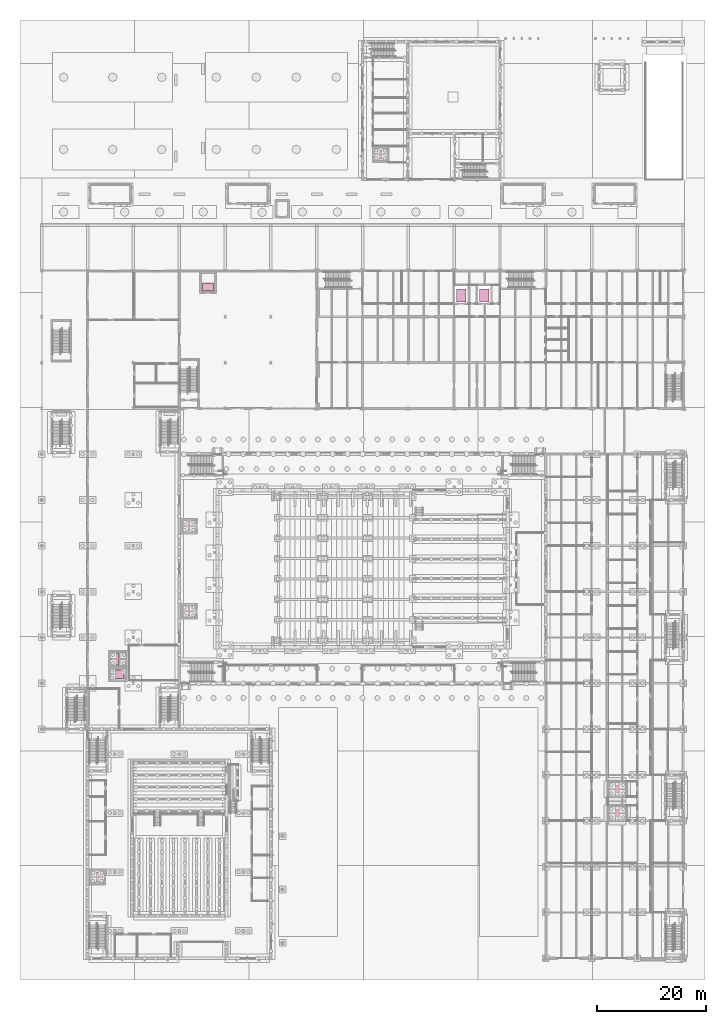
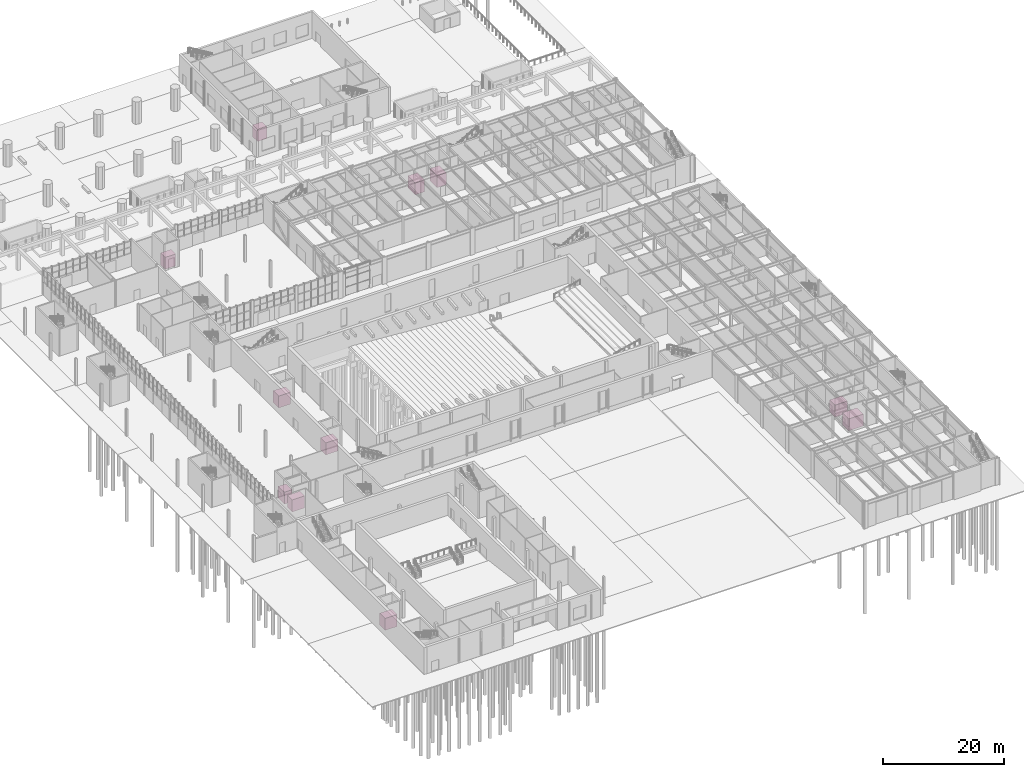
# One storey, part 127 of 127: 11 transport elements.
"""IFC4 building model written with IfcOpenShell, lengths in metres."""

import ifcopenshell
import ifcopenshell.guid

model = None  # the IFC model being written
_history = None  # IfcOwnerHistory: only IFC2X3 demands one
_inside = {}  # id of a spatial element -> (the spatial element, [elements in it])
_under = {}  # id of a project, library or spatial element -> (it, [spatial elements below it])
_declared = {}  # id of a project -> (the project, [libraries it declares])
_typed = {}  # id of a type object -> (the type object, [elements of that type])
_made_of = {}  # id of a material, layer set ... -> (it, [elements and type objects made of it])


def new_model(schema):
    """Start an empty IFC model of exactly this schema.

    Asked for "IFC4X3", IfcOpenShell would pick the latest addendum, in which some entities
    have other attributes; the version numbers below select the first issue.
    IFC2X3 requires an IfcOwnerHistory on every rooted entity: one is made here for all.
    """
    global model, _history
    if schema == "IFC4X3":
        model = ifcopenshell.file(schema_version=(4, 3, 0, 0))
    else:
        model = ifcopenshell.file(schema=schema)
    _inside.clear()
    _under.clear()
    _declared.clear()
    _typed.clear()
    _made_of.clear()
    _history = None
    if model.schema == "IFC2X3":
        org = make("IfcOrganization", Name="unknown")
        user = make(
            "IfcPersonAndOrganization",
            ThePerson=make("IfcPerson", FamilyName="unknown"),
            TheOrganization=org,
        )
        app = make(
            "IfcApplication",
            ApplicationDeveloper=org,
            Version="unknown",
            ApplicationFullName="unknown",
            ApplicationIdentifier="unknown",
        )
        _history = make(
            "IfcOwnerHistory",
            OwningUser=user,
            OwningApplication=app,
            ChangeAction="ADDED",
            CreationDate=0,
        )
    return model


def make(cls, **values):
    """One entity of the class cls with the attributes given. An attribute that is None is left unset."""
    return model.create_entity(
        cls, **{name: value for name, value in values.items() if value is not None}
    )


def rooted(cls, **values):
    """An entity with a GlobalId (a new one), such as an element, a storey or a relation."""
    return make(cls, GlobalId=ifcopenshell.guid.new(), OwnerHistory=_history, **values)


def si_unit(unit_type, name, prefix=None):
    """IfcSIUnit, for example si_unit("LENGTHUNIT", "METRE", prefix="MILLI")."""
    return make("IfcSIUnit", UnitType=unit_type, Prefix=prefix, Name=name)


def assignment(units):
    """IfcUnitAssignment: the units of a project."""
    return None if units is None else make("IfcUnitAssignment", Units=units)


def point(xyz):
    """IfcCartesianPoint."""
    return None if xyz is None else make("IfcCartesianPoint", Coordinates=xyz)


def direction(xyz):
    """IfcDirection."""
    return None if xyz is None else make("IfcDirection", DirectionRatios=xyz)


def frame(location, z_axis=None, x_axis=None):
    """IfcAxis2Placement3D, a coordinate frame: its origin and axes. An axis left out is left unset."""
    return make(
        "IfcAxis2Placement3D",
        Location=point(location),
        Axis=direction(z_axis),
        RefDirection=direction(x_axis),
    )


def frame_2d(location, x_axis=None):
    """IfcAxis2Placement2D, a coordinate frame in the plane: its origin and x axis."""
    return make(
        "IfcAxis2Placement2D", Location=point(location), RefDirection=direction(x_axis)
    )


def origin():
    """The frame at (0, 0, 0) with its axes left unset."""
    return frame((0.0, 0.0, 0.0))


def origin_2d():
    """The frame at (0, 0) in the plane with its x axis left unset."""
    return frame_2d((0.0, 0.0))


def place(relative_to, where):
    """IfcLocalPlacement: puts the frame where relative to a parent placement (None: the world)."""
    return make(
        "IfcLocalPlacement", PlacementRelTo=relative_to, RelativePlacement=where
    )


def context(
    kind, dimensions, precision=None, world=None, true_north=None, identifier=None
):
    """IfcGeometricRepresentationContext, for example the 3D "Model" context."""
    return make(
        "IfcGeometricRepresentationContext",
        ContextIdentifier=identifier,
        ContextType=kind,
        CoordinateSpaceDimension=dimensions,
        Precision=precision,
        WorldCoordinateSystem=world,
        TrueNorth=true_north,
    )


def subcontext(parent, identifier, kind, view, scale=None):
    """IfcGeometricRepresentationSubContext, for example "Body" below "Model"."""
    return make(
        "IfcGeometricRepresentationSubContext",
        ContextIdentifier=identifier,
        ContextType=kind,
        ParentContext=parent,
        TargetScale=scale,
        TargetView=view,
    )


def project(units=None, contexts=None):
    """IfcProject with its units and contexts."""
    return rooted(
        "IfcProject",
        Name="project",
        RepresentationContexts=contexts,
        UnitsInContext=assignment(units),
    )


def spatial(cls, under=None, at=None, **own):
    """A site, building, storey or space (cls), placed at a placement, below another one or the project."""
    s = rooted(cls, ObjectPlacement=at, **own)
    if under is not None:
        _under.setdefault(under.id(), (under, []))[1].append(s)
    return s


def profile(cls, at=None, kind="AREA", **sizes):
    """A parametric profile (cls). Its sizes go by their IFC names, for example OverallWidth=200.0."""
    return make(cls, ProfileType=kind, Position=at, **sizes)


def rectangle(**sizes):
    """IfcRectangleProfileDef."""
    return profile("IfcRectangleProfileDef", **sizes)


def extrude(swept, where, along, depth):
    """IfcExtrudedAreaSolid: the profile swept, set in the frame where, extruded along a direction by depth."""
    return make(
        "IfcExtrudedAreaSolid",
        SweptArea=swept,
        Position=where,
        ExtrudedDirection=direction(along),
        Depth=depth,
    )


def shape(context_of_items, identifier, shape_type, items):
    """IfcShapeRepresentation: the items that make up one representation, for example the "Body"."""
    return make(
        "IfcShapeRepresentation",
        ContextOfItems=context_of_items,
        RepresentationIdentifier=identifier,
        RepresentationType=shape_type,
        Items=items,
    )


def material(Name=None, Category=None):
    """IfcMaterial."""
    return make("IfcMaterial", Name=Name, Category=Category)


def made_of(thing, what):
    """Note that an element or type object is made of a material, layer set ...; save() writes the relation."""
    if what is not None:
        _made_of.setdefault(what.id(), (what, []))[1].append(thing)
    return thing


def type_object(cls, material=None, **own):
    """A type object (cls), such as IfcWallType, which elements share."""
    return made_of(rooted(cls, **own), material)


def element(
    cls,
    number,
    at=None,
    inside=None,
    cuts=None,
    type_object=None,
    material=None,
    context=None,
    identifier="Body",
    shape_type=None,
    held_by="IfcProductDefinitionShape",
    body=None,
    shapes=None,
    **own,
):
    """One element of the class cls, such as IfcWall. Its Tag is "e" and its number.

    at: its placement. inside: the storey or other place that contains it. cuts: it is an
    opening in that element (IfcRelVoidsElement). A single representation is given by context,
    identifier, shape_type and body (its items); several are given by shapes. held_by: the class
    of the entity that holds the representations. save() writes the other relations.
    """
    e = rooted(cls, Tag="e%d" % number, ObjectPlacement=at, **own)
    if body is not None:
        shapes = [shape(context, identifier, shape_type, body)]
    if shapes is not None:
        e.Representation = make(held_by, Representations=shapes)
    if inside is not None:
        _inside.setdefault(inside.id(), (inside, []))[1].append(e)
    if cuts is not None:
        rooted(
            "IfcRelVoidsElement", RelatingBuildingElement=cuts, RelatedOpeningElement=e
        )
    if type_object is not None:
        _typed.setdefault(type_object.id(), (type_object, []))[1].append(e)
    return made_of(e, material)


def aggregate(whole, parts):
    """IfcRelAggregates: a whole, such as a stair, and the parts it consists of."""
    return rooted("IfcRelAggregates", RelatingObject=whole, RelatedObjects=parts)


def save(model, path):
    """Write the relations noted so far, then the file.

    IfcRelAggregates (storeys below a building ...), IfcRelContainedInSpatialStructure (elements
    in a storey), IfcRelDefinesByType, IfcRelAssociatesMaterial and IfcRelDeclares: one each for
    every whole, place, type object, material and project.
    """
    for whole, parts in _under.values():
        aggregate(whole, parts)
    for where, things in _inside.values():
        rooted(
            "IfcRelContainedInSpatialStructure",
            RelatedElements=things,
            RelatingStructure=where,
        )
    for kind, things in _typed.values():
        rooted("IfcRelDefinesByType", RelatedObjects=things, RelatingType=kind)
    for what, things in _made_of.values():
        rooted("IfcRelAssociatesMaterial", RelatedObjects=things, RelatingMaterial=what)
    for by, libraries in _declared.values():
        rooted("IfcRelDeclares", RelatingContext=by, RelatedDefinitions=libraries)
    model.write(path)


model = new_model("IFC4")

# Units and contexts
model_context = context("Model", 3, precision=1e-05, world=origin(), true_north=direction((0.0, 1.0)))
body_context = subcontext(model_context, "Body", "Model", "MODEL_VIEW")
ifc_project = project(units=[si_unit("LENGTHUNIT", "METRE"), si_unit("AREAUNIT", "SQUARE_METRE"), si_unit("VOLUMEUNIT", "CUBIC_METRE"), si_unit("PLANEANGLEUNIT", "RADIAN"), si_unit("MASSUNIT", "GRAM", prefix="KILO")], contexts=[model_context])

# Site, building, storey
site_placement = place(None, origin())
site = spatial("IfcSite", under=ifc_project, at=site_placement, CompositionType="ELEMENT")
building_placement = place(site_placement, origin())
building = spatial("IfcBuilding", under=site, at=building_placement, Name="Ljudholm Concert House", CompositionType="ELEMENT")
storey_placement = place(building_placement, origin())
storey = spatial("IfcBuildingStorey", under=building, at=storey_placement, Name="L00", CompositionType="ELEMENT", Elevation=0.0)

# Transport elements
ifc_material_1 = material(Name="Stainless steel lift car", Category="steel")
transport_element_type_1 = type_object("IfcTransportElementType", Name="LIFT CAR 1600x1800", PredefinedType="ELEVATOR", material=ifc_material_1)
transport_element_1_placement = place(storey_placement, frame((66.0, 151.35009765625, 0.0), z_axis=(0.0, 0.0, 1.0), x_axis=(1.0, 0.0, 0.0)))
element("IfcTransportElement", 1, at=transport_element_1_placement, inside=storey, type_object=transport_element_type_1, Name="Rehearsal hall lift LE1", PredefinedType="ELEVATOR", context=body_context, shape_type="SweptSolid", body=[
    extrude(rectangle(XDim=1.800048828125, YDim=1.60009765625, at=origin_2d()), origin(), (0.0, 0.0, 1.0), 2.39990234375),
])
ifc_material_2 = material(Name="Stainless steel lift car", Category="steel")
transport_element_type_2 = type_object("IfcTransportElementType", Name="LIFT CAR 1600x2400", PredefinedType="ELEVATOR", material=ifc_material_2)
transport_element_2_placement = place(storey_placement, frame((17.875, 56.050048828125, 0.0), z_axis=(0.0, 0.0, 1.0), x_axis=(1.0, 0.0, 0.0)))
element("IfcTransportElement", 2, at=transport_element_2_placement, inside=storey, type_object=transport_element_type_2, Name="Foyer lift LS1", PredefinedType="ELEVATOR", context=body_context, shape_type="SweptSolid", body=[
    extrude(rectangle(XDim=2.39990234375, YDim=1.60009765625, at=origin_2d()), origin(), (0.0, 0.0, 1.0), 2.39990234375),
])
ifc_material_3 = material(Name="Stainless steel lift car", Category="steel")
transport_element_type_3 = type_object("IfcTransportElementType", Name="LIFT CAR 1800x2300", PredefinedType="ELEVATOR", material=ifc_material_3)
for number, where, z_axis, x_axis, name in (
    (3, (30.875, 67.60009765625, 0.0), (0.0, 0.0, 1.0), (1.0, 0.0, 0.0), "Hall lift LH1"),
    (4, (30.875, 83.199951171875, 0.0), (0.0, 0.0, 1.0), (1.0, 0.0, 0.0), "Hall lift LH2"),
    (5, (14.074951171875, 18.89990234375, 0.0), (0.0, 0.0, 1.0), (1.0, 0.0, 0.0), "Chamber hall lift LC1"),
):
    element("IfcTransportElement", number, at=place(storey_placement, frame(where, z_axis=z_axis, x_axis=x_axis)), inside=storey, type_object=transport_element_type_3, Name=name, PredefinedType="ELEVATOR", context=body_context, shape_type="SweptSolid", body=[
        extrude(rectangle(XDim=2.300048828125, YDim=1.800048828125, at=origin_2d()), origin(), (0.0, 0.0, 1.0), 2.39990234375),
    ])
ifc_material_4 = material(Name="Stainless steel lift car", Category="steel")
transport_element_type_4 = type_object("IfcTransportElementType", Name="LIFT CAR 1800x2400", PredefinedType="ELEVATOR", material=ifc_material_4)
transport_element_3_placement = place(storey_placement, frame((109.27490234375, 35.0, -0.050048828125), z_axis=(0.0, 0.0, 1.0), x_axis=(1.0, 0.0, 0.0)))
element("IfcTransportElement", 6, at=transport_element_3_placement, inside=storey, type_object=transport_element_type_4, Name="Passenger Lift LP", PredefinedType="ELEVATOR", context=body_context, shape_type="SweptSolid", body=[
    extrude(rectangle(XDim=2.39990234375, YDim=1.800048828125, at=origin_2d()), origin(), (0.0, 0.0, 1.0), 2.39990234375),
])
for number, where, z_axis, x_axis, name in (
    (7, (80.89990234375, 125.47509765625, -0.050048828125), (0.0, 0.0, 1.0), (1.0, 0.0, 0.0), "Passenger Lift LR1"),
    (8, (85.10009765625, 125.47509765625, -0.050048828125), (0.0, 0.0, 1.0), (1.0, 0.0, 0.0), "Service Lift LR2"),
):
    element("IfcTransportElement", number, at=place(storey_placement, frame(where, z_axis=z_axis, x_axis=x_axis)), inside=storey, type_object=transport_element_type_4, Name=name, PredefinedType="ELEVATOR", context=body_context, shape_type="SweptSolid", body=[
        extrude(rectangle(XDim=1.800048828125, YDim=2.39990234375, at=origin_2d()), origin(), (0.0, 0.0, 1.0), 2.39990234375),
    ])
ifc_material_5 = material(Name="Stainless steel lift car", Category="steel")
transport_element_type_5 = type_object("IfcTransportElementType", Name="LIFT CAR 2000x1500", PredefinedType="ELEVATOR", material=ifc_material_5)
transport_element_4_placement = place(storey_placement, frame((17.425048828125, 58.85009765625, 0.0), z_axis=(0.0, 0.0, 1.0), x_axis=(1.0, 0.0, 0.0)))
element("IfcTransportElement", 9, at=transport_element_4_placement, inside=storey, type_object=transport_element_type_5, Name="Foyer lift LS2", PredefinedType="ELEVATOR", context=body_context, shape_type="SweptSolid", body=[
    extrude(rectangle(XDim=1.5, YDim=2.0, at=origin_2d()), origin(), (0.0, 0.0, 1.0), 2.39990234375),
])
transport_element_5_placement = place(storey_placement, frame((34.449951171875, 127.050048828125, 0.0), z_axis=(0.0, 0.0, 1.0), x_axis=(1.0, 0.0, 0.0)))
element("IfcTransportElement", 10, at=transport_element_5_placement, inside=storey, type_object=transport_element_type_5, Name="Winter garden lift LW1", PredefinedType="ELEVATOR", context=body_context, shape_type="SweptSolid", body=[
    extrude(rectangle(XDim=2.0, YDim=1.5, at=origin_2d()), origin(), (0.0, 0.0, 1.0), 2.39990234375),
])
ifc_material_6 = material(Name="Stainless steel lift car", Category="steel")
transport_element_type_6 = type_object("IfcTransportElementType", Name="LIFT CAR 2100x2800", PredefinedType="ELEVATOR", material=ifc_material_6)
transport_element_6_placement = place(storey_placement, frame((109.47509765625, 30.60009765625, -0.050048828125), z_axis=(0.0, 0.0, 1.0), x_axis=(1.0, 0.0, 0.0)))
element("IfcTransportElement", 11, at=transport_element_6_placement, inside=storey, type_object=transport_element_type_6, Name="Goods Lift LG", PredefinedType="ELEVATOR", context=body_context, shape_type="SweptSolid", body=[
    extrude(rectangle(XDim=2.800048828125, YDim=2.10009765625, at=origin_2d()), origin(), (0.0, 0.0, 1.0), 2.39990234375),
])

save(model, "model.ifc")
